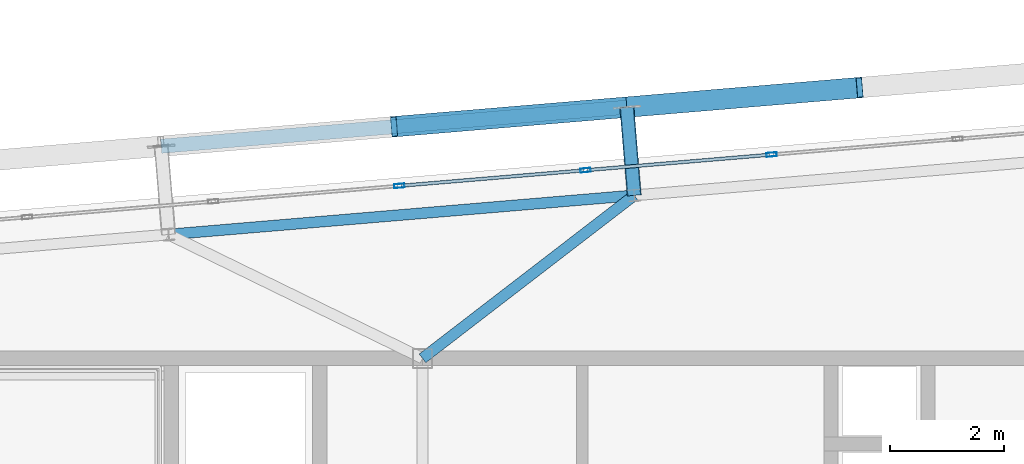
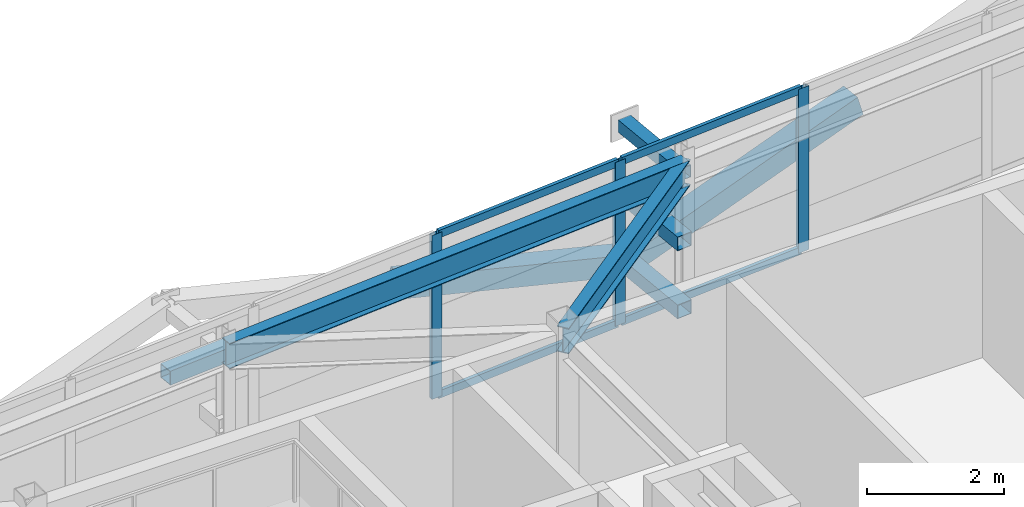
# One storey, part 28 of 44: 13 members, 2 beams, 1 element without a shape of its own.
"""IFC4 building model written with IfcOpenShell, lengths in metres."""

import ifcopenshell
import ifcopenshell.guid

model = None  # the IFC model being written
_history = None  # IfcOwnerHistory: only IFC2X3 demands one
_inside = {}  # id of a spatial element -> (the spatial element, [elements in it])
_under = {}  # id of a project, library or spatial element -> (it, [spatial elements below it])
_declared = {}  # id of a project -> (the project, [libraries it declares])
_typed = {}  # id of a type object -> (the type object, [elements of that type])
_made_of = {}  # id of a material, layer set ... -> (it, [elements and type objects made of it])


def new_model(schema):
    """Start an empty IFC model of exactly this schema.

    Asked for "IFC4X3", IfcOpenShell would pick the latest addendum, in which some entities
    have other attributes; the version numbers below select the first issue.
    IFC2X3 requires an IfcOwnerHistory on every rooted entity: one is made here for all.
    """
    global model, _history
    if schema == "IFC4X3":
        model = ifcopenshell.file(schema_version=(4, 3, 0, 0))
    else:
        model = ifcopenshell.file(schema=schema)
    _inside.clear()
    _under.clear()
    _declared.clear()
    _typed.clear()
    _made_of.clear()
    _history = None
    if model.schema == "IFC2X3":
        org = make("IfcOrganization", Name="unknown")
        user = make(
            "IfcPersonAndOrganization",
            ThePerson=make("IfcPerson", FamilyName="unknown"),
            TheOrganization=org,
        )
        app = make(
            "IfcApplication",
            ApplicationDeveloper=org,
            Version="unknown",
            ApplicationFullName="unknown",
            ApplicationIdentifier="unknown",
        )
        _history = make(
            "IfcOwnerHistory",
            OwningUser=user,
            OwningApplication=app,
            ChangeAction="ADDED",
            CreationDate=0,
        )
    return model


def make(cls, **values):
    """One entity of the class cls with the attributes given. An attribute that is None is left unset."""
    return model.create_entity(
        cls, **{name: value for name, value in values.items() if value is not None}
    )


def rooted(cls, **values):
    """An entity with a GlobalId (a new one), such as an element, a storey or a relation."""
    return make(cls, GlobalId=ifcopenshell.guid.new(), OwnerHistory=_history, **values)


def si_unit(unit_type, name, prefix=None):
    """IfcSIUnit, for example si_unit("LENGTHUNIT", "METRE", prefix="MILLI")."""
    return make("IfcSIUnit", UnitType=unit_type, Prefix=prefix, Name=name)


def assignment(units):
    """IfcUnitAssignment: the units of a project."""
    return None if units is None else make("IfcUnitAssignment", Units=units)


def point(xyz):
    """IfcCartesianPoint."""
    return None if xyz is None else make("IfcCartesianPoint", Coordinates=xyz)


def direction(xyz):
    """IfcDirection."""
    return None if xyz is None else make("IfcDirection", DirectionRatios=xyz)


def frame(location, z_axis=None, x_axis=None):
    """IfcAxis2Placement3D, a coordinate frame: its origin and axes. An axis left out is left unset."""
    return make(
        "IfcAxis2Placement3D",
        Location=point(location),
        Axis=direction(z_axis),
        RefDirection=direction(x_axis),
    )


def frame_2d(location, x_axis=None):
    """IfcAxis2Placement2D, a coordinate frame in the plane: its origin and x axis."""
    return make(
        "IfcAxis2Placement2D", Location=point(location), RefDirection=direction(x_axis)
    )


def origin():
    """The frame at (0, 0, 0) with its axes left unset."""
    return frame((0.0, 0.0, 0.0))


def origin_2d():
    """The frame at (0, 0) in the plane with its x axis left unset."""
    return frame_2d((0.0, 0.0))


def place(relative_to, where):
    """IfcLocalPlacement: puts the frame where relative to a parent placement (None: the world)."""
    return make(
        "IfcLocalPlacement", PlacementRelTo=relative_to, RelativePlacement=where
    )


def context(
    kind, dimensions, precision=None, world=None, true_north=None, identifier=None
):
    """IfcGeometricRepresentationContext, for example the 3D "Model" context."""
    return make(
        "IfcGeometricRepresentationContext",
        ContextIdentifier=identifier,
        ContextType=kind,
        CoordinateSpaceDimension=dimensions,
        Precision=precision,
        WorldCoordinateSystem=world,
        TrueNorth=true_north,
    )


def subcontext(parent, identifier, kind, view, scale=None):
    """IfcGeometricRepresentationSubContext, for example "Body" below "Model"."""
    return make(
        "IfcGeometricRepresentationSubContext",
        ContextIdentifier=identifier,
        ContextType=kind,
        ParentContext=parent,
        TargetScale=scale,
        TargetView=view,
    )


def project(units=None, contexts=None):
    """IfcProject with its units and contexts."""
    return rooted(
        "IfcProject",
        Name="project",
        RepresentationContexts=contexts,
        UnitsInContext=assignment(units),
    )


def spatial(cls, under=None, at=None, **own):
    """A site, building, storey or space (cls), placed at a placement, below another one or the project."""
    s = rooted(cls, ObjectPlacement=at, **own)
    if under is not None:
        _under.setdefault(under.id(), (under, []))[1].append(s)
    return s


def profile(cls, at=None, kind="AREA", **sizes):
    """A parametric profile (cls). Its sizes go by their IFC names, for example OverallWidth=200.0."""
    return make(cls, ProfileType=kind, Position=at, **sizes)


def hollow_rectangle(**sizes):
    """IfcRectangleHollowProfileDef."""
    return profile("IfcRectangleHollowProfileDef", **sizes)


def i_section(**sizes):
    """IfcIShapeProfileDef."""
    return profile("IfcIShapeProfileDef", **sizes)


def extrude(swept, where, along, depth):
    """IfcExtrudedAreaSolid: the profile swept, set in the frame where, extruded along a direction by depth."""
    return make(
        "IfcExtrudedAreaSolid",
        SweptArea=swept,
        Position=where,
        ExtrudedDirection=direction(along),
        Depth=depth,
    )


def shape(context_of_items, identifier, shape_type, items):
    """IfcShapeRepresentation: the items that make up one representation, for example the "Body"."""
    return make(
        "IfcShapeRepresentation",
        ContextOfItems=context_of_items,
        RepresentationIdentifier=identifier,
        RepresentationType=shape_type,
        Items=items,
    )


def source(mapping_origin, context_of_items, identifier, shape_type, items):
    """IfcRepresentationMap: a shape defined once, which mapped items show again and again."""
    return make(
        "IfcRepresentationMap",
        MappingOrigin=mapping_origin,
        MappedRepresentation=shape(context_of_items, identifier, shape_type, items),
    )


def transform(
    local_origin,
    x_axis=None,
    y_axis=None,
    z_axis=None,
    scale=None,
    scale2=None,
    scale3=None,
    uniform=True,
):
    """IfcCartesianTransformationOperator3D, or its non-uniform kind. x_axis, y_axis, z_axis: its Axis1, 2, 3."""
    if uniform:
        return make(
            "IfcCartesianTransformationOperator3D",
            Axis1=direction(x_axis),
            Axis2=direction(y_axis),
            LocalOrigin=point(local_origin),
            Scale=scale,
            Axis3=direction(z_axis),
        )
    return make(
        "IfcCartesianTransformationOperator3DnonUniform",
        Axis1=direction(x_axis),
        Axis2=direction(y_axis),
        LocalOrigin=point(local_origin),
        Scale=scale,
        Axis3=direction(z_axis),
        Scale2=scale2,
        Scale3=scale3,
    )


def mapped(mapping_source, mapping_target):
    """IfcMappedItem: shows the shape of a source again, moved by a transform."""
    return make(
        "IfcMappedItem", MappingSource=mapping_source, MappingTarget=mapping_target
    )


def material(Name=None, Category=None):
    """IfcMaterial."""
    return make("IfcMaterial", Name=Name, Category=Category)


def layer(
    of_material, thickness, ventilated=None, Name=None, Category=None, Priority=None
):
    """IfcMaterialLayer: one layer of a wall or slab, of a material (None: an air gap)."""
    return make(
        "IfcMaterialLayer",
        Material=of_material,
        LayerThickness=thickness,
        IsVentilated=ventilated,
        Name=Name,
        Category=Category,
        Priority=Priority,
    )


def layer_set(layers, Name=None):
    """IfcMaterialLayerSet."""
    return make("IfcMaterialLayerSet", MaterialLayers=layers, LayerSetName=Name)


def material_profile(
    of_material, cross_section, Name=None, Category=None, Priority=None
):
    """IfcMaterialProfile: a cross section and its material."""
    return make(
        "IfcMaterialProfile",
        Name=Name,
        Material=of_material,
        Profile=cross_section,
        Priority=Priority,
        Category=Category,
    )


def profile_set(profiles, Name=None, composite=None):
    """IfcMaterialProfileSet."""
    return make(
        "IfcMaterialProfileSet",
        Name=Name,
        MaterialProfiles=profiles,
        CompositeProfile=composite,
    )


def made_of(thing, what):
    """Note that an element or type object is made of a material, layer set ...; save() writes the relation."""
    if what is not None:
        _made_of.setdefault(what.id(), (what, []))[1].append(thing)
    return thing


def type_object(cls, material=None, **own):
    """A type object (cls), such as IfcWallType, which elements share."""
    return made_of(rooted(cls, **own), material)


def element(
    cls,
    number,
    at=None,
    inside=None,
    cuts=None,
    type_object=None,
    material=None,
    context=None,
    identifier="Body",
    shape_type=None,
    held_by="IfcProductDefinitionShape",
    body=None,
    shapes=None,
    **own,
):
    """One element of the class cls, such as IfcWall. Its Tag is "e" and its number.

    at: its placement. inside: the storey or other place that contains it. cuts: it is an
    opening in that element (IfcRelVoidsElement). A single representation is given by context,
    identifier, shape_type and body (its items); several are given by shapes. held_by: the class
    of the entity that holds the representations. save() writes the other relations.
    """
    e = rooted(cls, Tag="e%d" % number, ObjectPlacement=at, **own)
    if body is not None:
        shapes = [shape(context, identifier, shape_type, body)]
    if shapes is not None:
        e.Representation = make(held_by, Representations=shapes)
    if inside is not None:
        _inside.setdefault(inside.id(), (inside, []))[1].append(e)
    if cuts is not None:
        rooted(
            "IfcRelVoidsElement", RelatingBuildingElement=cuts, RelatedOpeningElement=e
        )
    if type_object is not None:
        _typed.setdefault(type_object.id(), (type_object, []))[1].append(e)
    return made_of(e, material)


def aggregate(whole, parts):
    """IfcRelAggregates: a whole, such as a stair, and the parts it consists of."""
    return rooted("IfcRelAggregates", RelatingObject=whole, RelatedObjects=parts)


def save(model, path):
    """Write the relations noted so far, then the file.

    IfcRelAggregates (storeys below a building ...), IfcRelContainedInSpatialStructure (elements
    in a storey), IfcRelDefinesByType, IfcRelAssociatesMaterial and IfcRelDeclares: one each for
    every whole, place, type object, material and project.
    """
    for whole, parts in _under.values():
        aggregate(whole, parts)
    for where, things in _inside.values():
        rooted(
            "IfcRelContainedInSpatialStructure",
            RelatedElements=things,
            RelatingStructure=where,
        )
    for kind, things in _typed.values():
        rooted("IfcRelDefinesByType", RelatedObjects=things, RelatingType=kind)
    for what, things in _made_of.values():
        rooted("IfcRelAssociatesMaterial", RelatedObjects=things, RelatingMaterial=what)
    for by, libraries in _declared.values():
        rooted("IfcRelDeclares", RelatingContext=by, RelatedDefinitions=libraries)
    model.write(path)


model = new_model("IFC4")

# Units and contexts
model_context = context("Model", 3, precision=1e-05, world=origin(), true_north=direction((0.0, 1.0)))
body_context = subcontext(model_context, "Body", "Model", "MODEL_VIEW")
ifc_project = project(units=[si_unit("LENGTHUNIT", "METRE"), si_unit("AREAUNIT", "SQUARE_METRE"), si_unit("VOLUMEUNIT", "CUBIC_METRE"), si_unit("PLANEANGLEUNIT", "RADIAN"), si_unit("MASSUNIT", "GRAM", prefix="KILO")], contexts=[model_context])

# Site, building, storey
site_placement = place(None, origin())
site = spatial("IfcSite", under=ifc_project, at=site_placement, CompositionType="ELEMENT")
building_placement = place(site_placement, origin())
building = spatial("IfcBuilding", under=site, at=building_placement, Name="Taldren Reach Tower", CompositionType="ELEMENT")
storey_placement = place(building_placement, frame((0.0, 0.0, 191.449951171875)))
storey = spatial("IfcBuildingStorey", under=building, at=storey_placement, Name="L58", CompositionType="ELEMENT", Elevation=191.449951171875)

# Members
ifc_material_1 = material(Name="Steel Gr 350 (C350L0)", Category="steel")
ifc_material_profile_1 = material_profile(ifc_material_1, hollow_rectangle(XDim=0.25, YDim=0.25, WallThickness=0.010009765625, at=origin_2d()), Name="250x250x10.0SHS")
ifc_profile_set_1 = profile_set([ifc_material_profile_1], Name="Steel Gr 350 (C350L0)")
member_type_1 = type_object("IfcMemberType", Name="MB-POST250", PredefinedType="POST", material=ifc_profile_set_1)
shared_shape_1 = source(origin(), body_context, "Body", "SweptSolid", [
    extrude(hollow_rectangle(XDim=0.25, YDim=0.25, WallThickness=0.010009765625, at=origin_2d()), origin(), (0.0, 0.0, 1.0), 1.5498046875),
])
for number, where, z_axis, x_axis, name in (
    (1, (31.706298828125, 34.8525390625, 0.219970703125), (-0.083645141657, 0.996495604746, 0.0), (-0.996495604746, -0.083645141657, 0.0), "Exoskeleton base diaphragm tie strut B4-N3 L58"),
    (2, (31.706298828125, 34.8525390625, 1.43505859375), (-0.083645141657, 0.996495604746, 0.0), (-0.996495604746, -0.083645141657, 0.0), "Exoskeleton mid-tier diaphragm tie B4-N3 L58"),
):
    element("IfcMember", number, at=place(storey_placement, frame(where, z_axis=z_axis, x_axis=x_axis)), inside=storey, type_object=member_type_1, Name=name, PredefinedType="POST", context=body_context, shape_type="MappedRepresentation", body=[
        mapped(shared_shape_1, transform((0.0, 0.0, 0.0), scale=1.0)),
    ])

# Beams
ifc_material_2 = material(Name="Steel Gr 350 (350PLUS)", Category="steel")
ifc_material_profile_2 = material_profile(ifc_material_2, i_section(OverallWidth=0.18994140625, OverallDepth=0.4541015625, WebThickness=0.008544921875, FlangeThickness=0.0126953125, at=origin_2d()), Name="460UB67.1")
ifc_profile_set_2 = profile_set([ifc_material_profile_2], Name="Steel Gr 350 (350PLUS)")
beam_type_1 = type_object("IfcBeamType", Name="SP-UB460B", PredefinedType="SPANDREL", material=ifc_profile_set_2)
shared_shape_2 = source(origin(), body_context, "Body", "SweptSolid", [
    extrude(i_section(OverallWidth=0.18994140625, OverallDepth=0.4541015625, WebThickness=0.008544921875, FlangeThickness=0.0126953125, at=origin_2d()), origin(), (0.0, 0.0, 1.0), 8.179931640625),
])
beam_1_placement = place(storey_placement, frame((31.706298828125, 34.8525390625, 2.703125), z_axis=(-0.99649182565, -0.08369015123, 0.0), x_axis=(0.08369015123, -0.99649182565, 0.0)))
element("IfcBeam", 3, at=beam_1_placement, inside=storey, type_object=beam_type_1, Name="Perimeter spandrel B4 N3-N2 L58", PredefinedType="SPANDREL", context=body_context, shape_type="MappedRepresentation", body=[
    mapped(shared_shape_2, transform((0.0, 0.0, 0.0), scale=1.0)),
])
ifc_material_profile_3 = material_profile(ifc_material_2, i_section(OverallWidth=0.19091796875, OverallDepth=0.4599609375, WebThickness=0.010009765625, FlangeThickness=0.01611328125, at=origin_2d()), Name="460UB82.1")
ifc_profile_set_3 = profile_set([ifc_material_profile_3], Name="Steel Gr 350 (350PLUS)")
beam_type_2 = type_object("IfcBeamType", Name="BM-UB460A", PredefinedType="BEAM", material=ifc_profile_set_3)
shared_shape_3 = source(origin(), body_context, "Body", "SweptSolid", [
    extrude(i_section(OverallWidth=0.19091796875, OverallDepth=0.4599609375, WebThickness=0.010009765625, FlangeThickness=0.01611328125, at=origin_2d()), origin(), (0.0, 0.0, 1.0), 4.677001953125),
])
beam_2_placement = place(storey_placement, frame((28.0, 32.0, 2.699951171875), z_axis=(0.792464836093, 0.609917603907, 0.0), x_axis=(-0.609917603907, 0.792464836093, 0.0)))
element("IfcBeam", 4, at=beam_2_placement, inside=storey, type_object=beam_type_2, Name="Primary floor girder B4-N3 L58", PredefinedType="BEAM", context=body_context, shape_type="MappedRepresentation", body=[
    mapped(shared_shape_3, transform((0.0, 0.0, 0.0), scale=1.0)),
])

# Members
ifc_material_3 = material(Name="Steel Gr 450 (C450L0)", Category="steel")
ifc_material_profile_4 = material_profile(ifc_material_3, hollow_rectangle(XDim=0.219970703125, YDim=0.219970703125, WallThickness=0.00830078125, at=origin_2d()), Name="220x220x8.2SHS")
ifc_profile_set_4 = profile_set([ifc_material_profile_4], Name="Steel Gr 450 (C450L0)")
member_type_2 = type_object("IfcMemberType", Name="MB-TIE219", PredefinedType="STRUT", material=ifc_profile_set_4)
shared_shape_4 = source(origin(), body_context, "Body", "SweptSolid", [
    extrude(hollow_rectangle(XDim=0.219970703125, YDim=0.219970703125, WallThickness=0.00830078125, at=origin_2d()), origin(), (0.0, 0.0, 1.0), 1.5498046875),
])
member_1_placement = place(storey_placement, frame((31.706298828125, 34.8525390625, 2.650146484375), z_axis=(-0.083645141657, 0.996495604746, 0.0), x_axis=(-0.996495604746, -0.083645141657, 0.0)))
element("IfcMember", 5, at=member_1_placement, inside=storey, type_object=member_type_2, Name="Exoskeleton diaphragm tie strut B4-N3 L58", PredefinedType="STRUT", context=body_context, shape_type="MappedRepresentation", body=[
    mapped(shared_shape_4, transform((0.0, 0.0, 0.0), scale=1.0)),
])
shared_shape_5 = source(origin(), body_context, "Body", "SweptSolid", [
    extrude(hollow_rectangle(XDim=0.25, YDim=0.25, WallThickness=0.010009765625, at=origin_2d()), origin(), (0.0, 0.0, 1.0), 8.179931640625),
])
member_2_placement = place(storey_placement, frame((23.42529296875, 35.712646484375, 1.43505859375), z_axis=(0.996494523218, 0.083658025296, 0.0), x_axis=(-0.083658025296, 0.996494523218, 0.0)))
element("IfcMember", 6, at=member_2_placement, inside=storey, type_object=member_type_1, Name="Exoskeleton mid-height ring chord B4-N2 L58", PredefinedType="POST", context=body_context, shape_type="MappedRepresentation", body=[
    mapped(shared_shape_5, transform((0.0, 0.0, 0.0), scale=1.0)),
])
ifc_material_profile_5 = material_profile(ifc_material_3, hollow_rectangle(XDim=0.360107421875, YDim=0.360107421875, WallThickness=0.0126953125, at=origin_2d()), Name="360x360x12.7SHS")
ifc_profile_set_5 = profile_set([ifc_material_profile_5], Name="Steel Gr 450 (C450L0)")
member_type_3 = type_object("IfcMemberType", Name="MB-EXO356", PredefinedType="BRACE", material=ifc_profile_set_5)
shared_shape_6 = source(origin(), body_context, "Body", "SweptSolid", [
    extrude(hollow_rectangle(XDim=0.360107421875, YDim=0.360107421875, WallThickness=0.0126953125, at=origin_2d()), origin(), (0.0, 0.0, 1.0), 4.2666015625),
])
for number, where, z_axis, x_axis, name in (
    (7, (31.57666015625, 36.39697265625, 0.219970703125), (-0.955233542365, -0.080165460216, 0.28478479336), (0.083628388178, -0.996497010879, 0.0), "Exoskeleton Diagrid Brace B4-N2 L58"),
    (8, (31.57666015625, 36.39697265625, 0.219970703125), (0.955229159097, 0.080222312271, 0.284783486572), (-0.083687662192, 0.996492034688, 0.0), "Exoskeleton Diagrid Brace B4-N3 L58"),
):
    element("IfcMember", number, at=place(storey_placement, frame(where, z_axis=z_axis, x_axis=x_axis)), inside=storey, type_object=member_type_3, Name=name, PredefinedType="BRACE", context=body_context, shape_type="MappedRepresentation", body=[
        mapped(shared_shape_6, transform((0.0, 0.0, 0.0), scale=1.0)),
    ])

# Curtain wall, members
ifc_material_4 = material(Name="Aluminium and Low-E Glass Unitised System", Category="aluminium")
ifc_layer = layer(ifc_material_4, 0.159912109375)
ifc_layer_set = layer_set([ifc_layer], Name="Aluminium and Low-E Glass Unitised System")
curtain_wall_type = type_object("IfcCurtainWallType", Name="CW-SYS-5", PredefinedType="NOTDEFINED", material=ifc_layer_set)
curtain_wall_placement = place(storey_placement, origin())
curtain_wall = element("IfcCurtainWall", 9, at=curtain_wall_placement, inside=storey, type_object=curtain_wall_type, Name="Unitised curtain wall CW-L58-N", PredefinedType="NOTDEFINED")
ifc_material_5 = material(Name="Anodised Aluminium 6063-T6", Category="aluminium")
ifc_material_profile_6 = material_profile(ifc_material_5, hollow_rectangle(XDim=0.070068359375, YDim=0.179931640625, WallThickness=0.00390625, at=origin_2d()), Name="ALU-180x70x4RHS")
ifc_profile_set_6 = profile_set([ifc_material_profile_6], Name="Anodised Aluminium 6063-T6")
member_type_4 = type_object("IfcMemberType", Name="CW-MUL-180", PredefinedType="MULLION", material=ifc_profile_set_6)
shared_shape_7 = source(origin(), body_context, "Body", "SweptSolid", [
    extrude(hollow_rectangle(XDim=0.070068359375, YDim=0.179931640625, WallThickness=0.00390625, at=origin_2d()), origin(), (0.0, 0.0, 1.0), 2.929931640625),
])
member_3_placement = place(storey_placement, frame((34.110595703125, 35.566162109375, 0.0), z_axis=(0.0, 0.0, 1.0), x_axis=(0.083677875247, -0.99649285657, 0.0)))
member_3 = element("IfcMember", 10, at=member_3_placement, type_object=member_type_4, Name="CW-5 mullion 8", PredefinedType="MULLION", context=body_context, shape_type="MappedRepresentation", body=[
    mapped(shared_shape_7, transform((0.0, 0.0, 0.0), scale=1.0)),
])
member_4_placement = place(storey_placement, frame((30.852783203125, 35.292724609375, 0.0), z_axis=(0.0, 0.0, 1.0), x_axis=(0.083677875247, -0.99649285657, 0.0)))
member_4 = element("IfcMember", 11, at=member_4_placement, type_object=member_type_4, Name="CW-5 mullion 9", PredefinedType="MULLION", context=body_context, shape_type="MappedRepresentation", body=[
    mapped(shared_shape_7, transform((0.0, 0.0, 0.0), scale=1.0)),
])
member_5_placement = place(storey_placement, frame((27.594970703125, 35.01904296875, 0.0), z_axis=(0.0, 0.0, 1.0), x_axis=(0.083677875247, -0.99649285657, 0.0)))
member_5 = element("IfcMember", 12, at=member_5_placement, type_object=member_type_4, Name="CW-5 mullion 10", PredefinedType="MULLION", context=body_context, shape_type="MappedRepresentation", body=[
    mapped(shared_shape_7, transform((0.0, 0.0, 0.0), scale=1.0)),
])
ifc_material_profile_7 = material_profile(ifc_material_5, hollow_rectangle(XDim=0.06005859375, YDim=0.135009765625, WallThickness=0.00341796875, at=origin_2d()), Name="ALU-135x60x3.5RHS")
ifc_profile_set_7 = profile_set([ifc_material_profile_7], Name="Anodised Aluminium 6063-T6")
member_type_5 = type_object("IfcMemberType", Name="CW-TRN-150", PredefinedType="USERDEFINED", material=ifc_profile_set_7)
shared_shape_8 = source(origin(), body_context, "Body", "SweptSolid", [
    extrude(hollow_rectangle(XDim=0.06005859375, YDim=0.135009765625, WallThickness=0.00341796875, at=origin_2d()), origin(), (0.0, 0.0, 1.0), 3.19921875),
])
member_6_placement = place(storey_placement, frame((34.07568359375, 35.563232421875, 0.030029296875), z_axis=(-0.996496109493, -0.083639128198, 0.0), x_axis=(0.083639128198, -0.996496109493, 0.0)))
member_6 = element("IfcMember", 13, at=member_6_placement, type_object=member_type_5, Name="CW-5 transom 8.1", ObjectType="TRANSOM", PredefinedType="USERDEFINED", context=body_context, shape_type="MappedRepresentation", body=[
    mapped(shared_shape_8, transform((0.0, 0.0, 0.0), scale=1.0)),
])
member_7_placement = place(storey_placement, frame((34.07568359375, 35.563232421875, 2.900146484375), z_axis=(-0.996496109493, -0.083639128198, 0.0), x_axis=(0.083639128198, -0.996496109493, 0.0)))
member_7 = element("IfcMember", 14, at=member_7_placement, type_object=member_type_5, Name="CW-5 transom 8.2", ObjectType="TRANSOM", PredefinedType="USERDEFINED", context=body_context, shape_type="MappedRepresentation", body=[
    mapped(shared_shape_8, transform((0.0, 0.0, 0.0), scale=1.0)),
])
member_8_placement = place(storey_placement, frame((30.81787109375, 35.289794921875, 0.030029296875), z_axis=(-0.996489746258, -0.083714906697, 0.0), x_axis=(0.083714906697, -0.996489746258, 0.0)))
member_8 = element("IfcMember", 15, at=member_8_placement, type_object=member_type_5, Name="CW-5 transom 9.1", ObjectType="TRANSOM", PredefinedType="USERDEFINED", context=body_context, shape_type="MappedRepresentation", body=[
    mapped(shared_shape_8, transform((0.0, 0.0, 0.0), scale=1.0)),
])
member_9_placement = place(storey_placement, frame((30.81787109375, 35.289794921875, 2.900146484375), z_axis=(-0.996489746258, -0.083714906697, 0.0), x_axis=(0.083714906697, -0.996489746258, 0.0)))
member_9 = element("IfcMember", 16, at=member_9_placement, type_object=member_type_5, Name="CW-5 transom 9.2", ObjectType="TRANSOM", PredefinedType="USERDEFINED", context=body_context, shape_type="MappedRepresentation", body=[
    mapped(shared_shape_8, transform((0.0, 0.0, 0.0), scale=1.0)),
])
aggregate(curtain_wall, [member_3, member_4, member_5, member_6, member_7, member_8, member_9])

save(model, "model.ifc")
